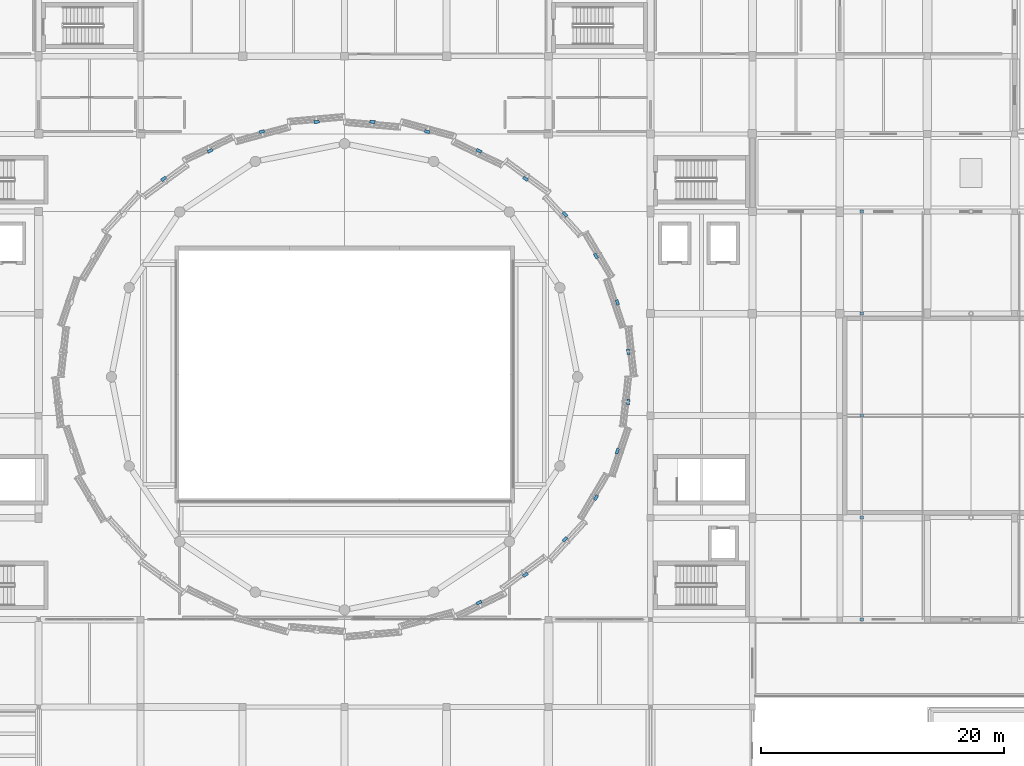
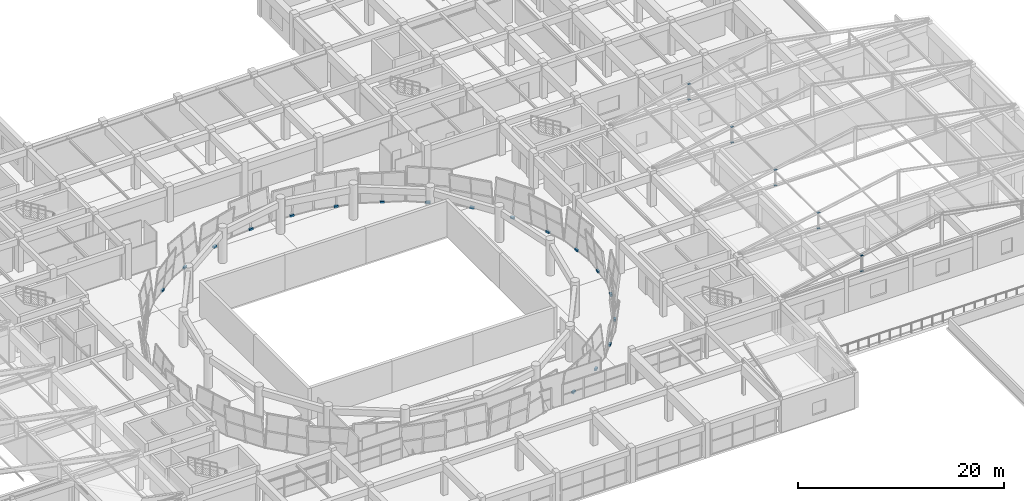
# One storey, part 65 of 74: 28 discrete accessories.
"""IFC4 building model written with IfcOpenShell, lengths in metres."""

from ifc_helpers import new_model, si_unit, direction, frame, origin, origin_2d, place, context, subcontext, project, spatial, rectangle, extrude, material, type_object, element, save


model = new_model("IFC4")

# Units and contexts
model_context = context("Model", 3, precision=1e-05, world=origin(), true_north=direction((0.0, 1.0)))
body_context = subcontext(model_context, "Body", "Model", "MODEL_VIEW")
ifc_project = project(units=[si_unit("LENGTHUNIT", "METRE"), si_unit("AREAUNIT", "SQUARE_METRE"), si_unit("VOLUMEUNIT", "CUBIC_METRE"), si_unit("PLANEANGLEUNIT", "RADIAN"), si_unit("MASSUNIT", "GRAM", prefix="KILO")], contexts=[model_context])

# Site, building, storey
site_placement = place(None, origin())
site = spatial("IfcSite", under=ifc_project, at=site_placement, CompositionType="ELEMENT")
building_placement = place(site_placement, origin())
building = spatial("IfcBuilding", under=site, at=building_placement, Name="Korsvaeld Concert Hall", CompositionType="ELEMENT")
storey_placement = place(building_placement, frame((0.0, 0.0, 9.0)))
storey = spatial("IfcBuildingStorey", under=building, at=storey_placement, Name="L02", CompositionType="ELEMENT", Elevation=9.0)

# Discrete accessories
ifc_material = material(Name="Steel S355J2", Category="steel")
discrete_accessory_type_1 = type_object("IfcDiscreteAccessoryType", Name="ACC-BRACKET-CW", PredefinedType="BRACKET", material=ifc_material)
for number, where, z_axis, x_axis, name in (
    (1, (107.373291015625, 65.267822265625, -0.0400390625), (0.0, 0.0, 1.0), (-0.109040368753, 0.994037322228, 0.0), "Crystal shell base anchor bracket L02 F01"),
    (2, (106.47509765625, 69.324462890625, -0.0400390625), (0.0, 0.0, 1.0), (-0.319951634986, 0.947433876991, 0.0), "Crystal shell base anchor bracket L02 F02"),
    (3, (104.713134765625, 73.1455078125, -0.0400390625), (0.0, 0.0, 1.0), (-0.511293086077, 0.859406411501, 0.0), "Crystal shell base anchor bracket L02 F03"),
    (4, (102.1552734375, 76.58447265625, -0.0400390625), (0.0, 0.0, 1.0), (-0.674431262084, 0.738337641411, 0.0), "Crystal shell base anchor bracket L02 F04"),
    (5, (98.899658203125, 79.5087890625, -0.0400390625), (0.0, 0.0, 1.0), (-0.804893797356, 0.593418886604, 0.0), "Crystal shell base anchor bracket L02 F05"),
    (6, (95.0712890625, 81.806640625, -0.0400390625), (0.0, 0.0, 1.0), (-0.901455117112, 0.43287258152, 0.0), "Crystal shell base anchor bracket L02 F06"),
    (7, (90.817626953125, 83.389404296875, -0.0400390625), (0.0, 0.0, 1.0), (-0.964833216741, 0.262862823299, 0.0), "Crystal shell base anchor bracket L02 F07"),
    (8, (86.302001953125, 84.1962890625, -0.0400390625), (0.0, 0.0, 1.0), (-0.996102882603, 0.088198907417, 0.0), "Crystal shell base anchor bracket L02 F08"),
    (9, (81.697998046875, 84.1962890625, -0.0400390625), (0.0, 0.0, 1.0), (-0.996102882603, -0.088198907417, 0.0), "Crystal shell base anchor bracket L02 F09"),
    (10, (77.182373046875, 83.389404296875, -0.0400390625), (0.0, 0.0, 1.0), (-0.964833216741, -0.262862823299, 0.0), "Crystal shell base anchor bracket L02 F10"),
    (11, (72.9287109375, 81.806640625, -0.0400390625), (0.0, 0.0, 1.0), (-0.901455117112, -0.43287258152, 0.0), "Crystal shell base anchor bracket L02 F11"),
    (12, (69.100341796875, 79.5087890625, -0.0400390625), (0.0, 0.0, 1.0), (-0.804893797356, -0.593418886604, 0.0), "Crystal shell base anchor bracket L02 F12"),
    (13, (95.0712890625, 44.59326171875, -0.0400390625), (0.0, 0.0, 1.0), (0.901455117112, 0.43287258152, 0.0), "Crystal shell base anchor bracket L02 F27"),
    (14, (98.899658203125, 46.89111328125, -0.0400390625), (0.0, 0.0, 1.0), (0.804893797356, 0.593418886604, 0.0), "Crystal shell base anchor bracket L02 F28"),
    (15, (102.1552734375, 49.815673828125, -0.0400390625), (0.0, 0.0, 1.0), (0.674431262084, 0.738337641411, 0.0), "Crystal shell base anchor bracket L02 F29"),
    (16, (104.713134765625, 53.25439453125, -0.0400390625), (0.0, 0.0, 1.0), (0.511293086077, 0.859406411501, 0.0), "Crystal shell base anchor bracket L02 F30"),
    (17, (106.47509765625, 57.07568359375, -0.0400390625), (0.0, 0.0, 1.0), (0.319951634986, 0.947433876991, 0.0), "Crystal shell base anchor bracket L02 F31"),
    (18, (107.373291015625, 61.132080078125, -0.0400390625), (0.0, 0.0, 1.0), (0.109040368753, 0.994037322228, 0.0), "Crystal shell base anchor bracket L02 F32"),
):
    element("IfcDiscreteAccessory", number, at=place(storey_placement, frame(where, z_axis=z_axis, x_axis=x_axis)), inside=storey, type_object=discrete_accessory_type_1, Name=name, PredefinedType="BRACKET", context=body_context, shape_type="SweptSolid", body=[
        extrude(rectangle(XDim=0.449951171875, YDim=0.239990234375, at=origin_2d()), origin(), (0.0, 0.0, 1.0), 0.239990234375),
    ])
discrete_accessory_type_2 = type_object("IfcDiscreteAccessoryType", Name="ACC-GUSSET-S355", PredefinedType="BRACKET", material=ifc_material)
for number, where, z_axis, x_axis, name in (
    (19, (126.60009765625, 43.199951171875, 4.237548828125), (0.0, 0.0, 1.0), (1.0, 0.0, 0.0), "Brace and strut S355J2 gusset end-plate 101"),
    (20, (126.60009765625, 43.199951171875, 6.087646484375), (0.0, 0.0, 1.0), (1.0, 0.0, 0.0), "Brace and strut S355J2 gusset end-plate 102"),
    (21, (126.60009765625, 51.60009765625, 4.237548828125), (0.0, 0.0, 1.0), (1.0, 0.0, 0.0), "Brace and strut S355J2 gusset end-plate 107"),
    (22, (126.60009765625, 51.60009765625, 6.087646484375), (0.0, 0.0, 1.0), (1.0, 0.0, 0.0), "Brace and strut S355J2 gusset end-plate 108"),
    (23, (126.60009765625, 60.0, 4.237548828125), (0.0, 0.0, 1.0), (1.0, 0.0, 0.0), "Brace and strut S355J2 gusset end-plate 113"),
    (24, (126.60009765625, 60.0, 6.087646484375), (0.0, 0.0, 1.0), (1.0, 0.0, 0.0), "Brace and strut S355J2 gusset end-plate 114"),
    (25, (126.60009765625, 68.39990234375, 4.237548828125), (0.0, 0.0, 1.0), (1.0, 0.0, 0.0), "Brace and strut S355J2 gusset end-plate 119"),
    (26, (126.60009765625, 68.39990234375, 6.087646484375), (0.0, 0.0, 1.0), (1.0, 0.0, 0.0), "Brace and strut S355J2 gusset end-plate 120"),
    (27, (126.60009765625, 76.800048828125, 4.237548828125), (0.0, 0.0, 1.0), (1.0, 0.0, 0.0), "Brace and strut S355J2 gusset end-plate 125"),
    (28, (126.60009765625, 76.800048828125, 6.087646484375), (0.0, 0.0, 1.0), (1.0, 0.0, 0.0), "Brace and strut S355J2 gusset end-plate 126"),
):
    element("IfcDiscreteAccessory", number, at=place(storey_placement, frame(where, z_axis=z_axis, x_axis=x_axis)), inside=storey, type_object=discrete_accessory_type_2, Name=name, PredefinedType="BRACKET", context=body_context, shape_type="SweptSolid", body=[
        extrude(rectangle(XDim=0.280029296875, YDim=0.25, at=origin_2d()), origin(), (0.0, 0.0, 1.0), 0.02490234375),
    ])

save(model, "model.ifc")
